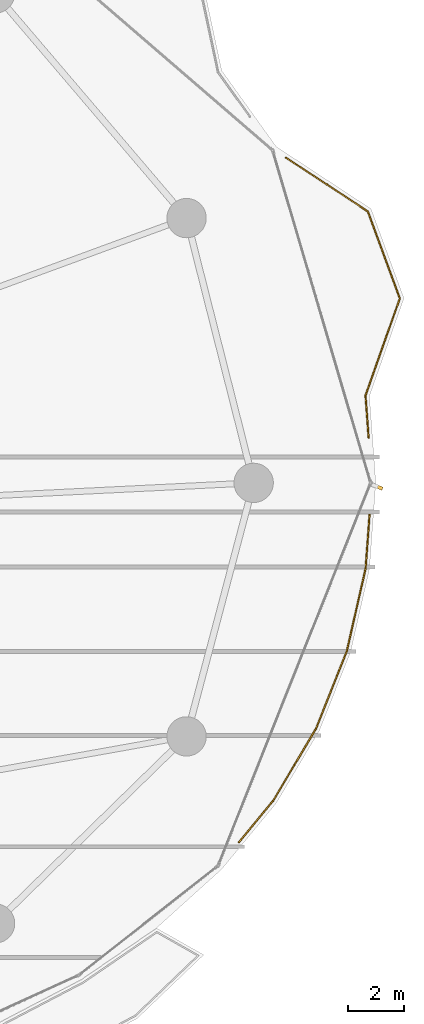
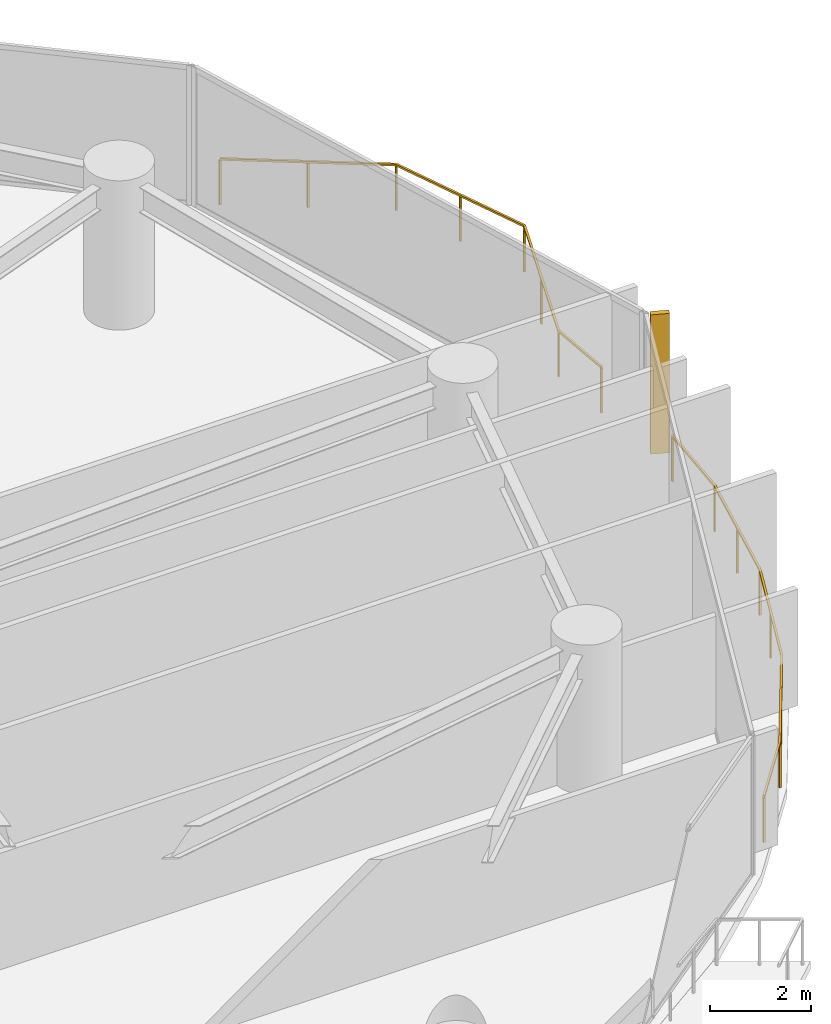
# One storey, part 33 of 33: 2 railings, 1 shading device.
"""IFC4 building model written with IfcOpenShell, lengths in metres."""

from ifc_helpers import new_model, si_unit, direction, frame, origin, origin_2d, place, context, subcontext, project, spatial, rectangle, extrude, material, type_object, element, save


model = new_model("IFC4")

# Units and contexts
model_context = context("Model", 3, precision=1e-05, world=origin(), true_north=direction((0.0, 1.0)))
body_context = subcontext(model_context, "Body", "Model", "MODEL_VIEW")
ifc_project = project(units=[si_unit("LENGTHUNIT", "METRE"), si_unit("AREAUNIT", "SQUARE_METRE"), si_unit("VOLUMEUNIT", "CUBIC_METRE"), si_unit("PLANEANGLEUNIT", "RADIAN"), si_unit("MASSUNIT", "GRAM", prefix="KILO")], contexts=[model_context])

# Site, building, storey
site_placement = place(None, origin())
site = spatial("IfcSite", under=ifc_project, at=site_placement, CompositionType="ELEMENT")
building_placement = place(site_placement, origin())
building = spatial("IfcBuilding", under=site, at=building_placement, Name="Kazevale Care Tower and Concert Hall", CompositionType="ELEMENT")
storey_placement = place(building_placement, frame((0.0, 0.0, 49.199951171875)))
storey = spatial("IfcBuildingStorey", under=building, at=storey_placement, Name="L12", CompositionType="ELEMENT", Elevation=49.199951171875)

# Railings
ifc_material_1 = material(Name="Anodised Bronze Aluminium and Laminated Glass", Category="aluminium")
railing_type = type_object("IfcRailingType", Name="Balcony and Terrace Balustrade 1120", PredefinedType="BALUSTRADE", material=ifc_material_1)
railing_1_placement = place(storey_placement, frame((80.575927734375, 36.864990234375, 0.0)))
element("IfcRailing", 1, at=railing_1_placement, inside=storey, type_object=railing_type, Name="rail:L12:perim:10", PredefinedType="BALUSTRADE", context=body_context, shape_type="SweptSolid", body=[
    extrude(rectangle(XDim=0.048095703125, YDim=0.048095703125, at=origin_2d()), frame((0.0, 0.0, 1.09619140625), z_axis=(-0.072929321708, -0.99733711153, 0.0), x_axis=(0.99733711153, -0.072929321708, 0.0)), (0.0, 0.0, 1.0), 1.918212890625),
    extrude(rectangle(XDim=0.048095703125, YDim=0.048095703125, at=origin_2d()), frame((-0.139892578125, -1.9130859375, 1.09619140625), z_axis=(-0.22169815306, -0.975115341347, 0.0), x_axis=(0.975115341347, -0.22169815306, 0.0)), (0.0, 0.0, 1.0), 3.012939453125),
    extrude(rectangle(XDim=0.048095703125, YDim=0.048095703125, at=origin_2d()), frame((-0.807861328125, -4.85107421875, 1.09619140625), z_axis=(-0.369500413357, -0.92923056586, 0.0), x_axis=(0.92923056586, -0.369500413357, 0.0)), (0.0, 0.0, 1.0), 2.985107421875),
    extrude(rectangle(XDim=0.048095703125, YDim=0.048095703125, at=origin_2d()), frame((-1.910888671875, -7.625, 1.09619140625), z_axis=(-0.510655847211, -0.859785209055, 0.0), x_axis=(0.859785209055, -0.510655847211, 0.0)), (0.0, 0.0, 1.0), 2.986572265625),
    extrude(rectangle(XDim=0.048095703125, YDim=0.048095703125, at=origin_2d()), frame((-3.43603515625, -10.19287109375, 1.09619140625), z_axis=(-0.636478085384, -0.771294785945, 0.0), x_axis=(0.771294785945, -0.636478085384, 0.0)), (0.0, 0.0, 1.0), 1.90869140625),
    extrude(rectangle(XDim=0.0419921875, YDim=0.0419921875, at=origin_2d()), origin(), (0.0, 0.0, 1.0), 1.072021484375),
    extrude(rectangle(XDim=0.0419921875, YDim=0.0419921875, at=origin_2d()), frame((-0.139892578125, -1.9130859375, 0.0)), (0.0, 0.0, 1.0), 1.072021484375),
    extrude(rectangle(XDim=0.0419921875, YDim=0.0419921875, at=origin_2d()), frame((-0.473876953125, -3.382080078125, 0.0)), (0.0, 0.0, 1.0), 1.072021484375),
    extrude(rectangle(XDim=0.0419921875, YDim=0.0419921875, at=origin_2d()), frame((-0.807861328125, -4.85107421875, 0.0)), (0.0, 0.0, 1.0), 1.072021484375),
    extrude(rectangle(XDim=0.0419921875, YDim=0.0419921875, at=origin_2d()), frame((-1.359375, -6.238037109375, 0.0)), (0.0, 0.0, 1.0), 1.072021484375),
    extrude(rectangle(XDim=0.0419921875, YDim=0.0419921875, at=origin_2d()), frame((-1.910888671875, -7.625, 0.0)), (0.0, 0.0, 1.0), 1.072021484375),
    extrude(rectangle(XDim=0.0419921875, YDim=0.0419921875, at=origin_2d()), frame((-2.67333984375, -8.908935546875, 0.0)), (0.0, 0.0, 1.0), 1.072021484375),
    extrude(rectangle(XDim=0.0419921875, YDim=0.0419921875, at=origin_2d()), frame((-3.43603515625, -10.19287109375, 0.0)), (0.0, 0.0, 1.0), 1.072021484375),
    extrude(rectangle(XDim=0.0419921875, YDim=0.0419921875, at=origin_2d()), frame((-4.65087890625, -11.6650390625, 0.0)), (0.0, 0.0, 1.0), 1.072021484375),
])
railing_2_placement = place(storey_placement, frame((77.60205078125, 49.580078125, 0.0)))
element("IfcRailing", 2, at=railing_2_placement, inside=storey, type_object=railing_type, Name="rail:L12:perim:11", PredefinedType="BALUSTRADE", context=body_context, shape_type="SweptSolid", body=[
    extrude(rectangle(XDim=0.048095703125, YDim=0.048095703125, at=origin_2d()), frame((0.0, 0.0, 1.09619140625), z_axis=(0.836080040141, -0.548607479422, 0.0), x_axis=(0.548607479422, 0.836080040141, 0.0)), (0.0, 0.0, 1.0), 3.4853515625),
    extrude(rectangle(XDim=0.048095703125, YDim=0.048095703125, at=origin_2d()), frame((2.9140625, -1.912109375, 1.09619140625), z_axis=(0.34544454401, -0.938439165324, 0.0), x_axis=(0.938439165324, 0.34544454401, 0.0)), (0.0, 0.0, 1.0), 3.296875),
    extrude(rectangle(XDim=0.048095703125, YDim=0.048095703125, at=origin_2d()), frame((4.052978515625, -5.006103515625, 1.09619140625), z_axis=(-0.332566381025, -0.94307984933, 0.0), x_axis=(0.94307984933, -0.332566381025, 0.0)), (0.0, 0.0, 1.0), 3.67431640625),
    extrude(rectangle(XDim=0.048095703125, YDim=0.048095703125, at=origin_2d()), frame((2.8310546875, -8.47119140625, 1.09619140625), z_axis=(0.072904890187, -0.997338897761, 0.0), x_axis=(0.997338897761, 0.072904890187, 0.0)), (0.0, 0.0, 1.0), 1.5068359375),
    extrude(rectangle(XDim=0.0419921875, YDim=0.0419921875, at=origin_2d()), origin(), (0.0, 0.0, 1.0), 1.072021484375),
    extrude(rectangle(XDim=0.0419921875, YDim=0.0419921875, at=origin_2d()), frame((1.45703125, -0.9560546875, 0.0)), (0.0, 0.0, 1.0), 1.072021484375),
    extrude(rectangle(XDim=0.0419921875, YDim=0.0419921875, at=origin_2d()), frame((2.9140625, -1.912109375, 0.0)), (0.0, 0.0, 1.0), 1.072021484375),
    extrude(rectangle(XDim=0.0419921875, YDim=0.0419921875, at=origin_2d()), frame((3.4833984375, -3.458984375, 0.0)), (0.0, 0.0, 1.0), 1.072021484375),
    extrude(rectangle(XDim=0.0419921875, YDim=0.0419921875, at=origin_2d()), frame((4.052978515625, -5.006103515625, 0.0)), (0.0, 0.0, 1.0), 1.072021484375),
    extrude(rectangle(XDim=0.0419921875, YDim=0.0419921875, at=origin_2d()), frame((3.44189453125, -6.73876953125, 0.0)), (0.0, 0.0, 1.0), 1.072021484375),
    extrude(rectangle(XDim=0.0419921875, YDim=0.0419921875, at=origin_2d()), frame((2.8310546875, -8.47119140625, 0.0)), (0.0, 0.0, 1.0), 1.072021484375),
    extrude(rectangle(XDim=0.0419921875, YDim=0.0419921875, at=origin_2d()), frame((2.94091796875, -9.97412109375, 0.0)), (0.0, 0.0, 1.0), 1.072021484375),
])

# Shading device
ifc_material_2 = material(Name="Honed Ochre Limestone", Category="masonry")
shading_device_type = type_object("IfcShadingDeviceType", Name="Vertical Honed Limestone Fin FIN-01", PredefinedType="USERDEFINED", material=ifc_material_2)
shading_device_placement = place(storey_placement, frame((80.861572265625, 37.860595703125, 0.0), z_axis=(0.0, 0.0, 1.0), x_axis=(0.928874213199, -0.370395324019, 0.0)))
element("IfcShadingDevice", 3, at=shading_device_placement, inside=storey, type_object=shading_device_type, Name="cw:L12:f01:fin", ObjectType="FIN", PredefinedType="USERDEFINED", context=body_context, shape_type="SweptSolid", body=[
    extrude(rectangle(XDim=0.3798828125, YDim=0.1201171875, at=origin_2d()), origin(), (0.0, 0.0, 1.0), 3.360107421875),
])

save(model, "model.ifc")
